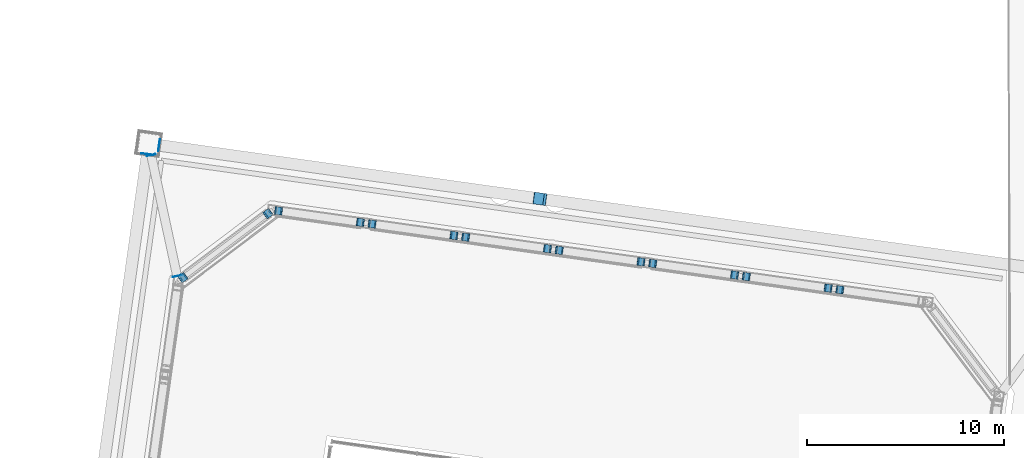
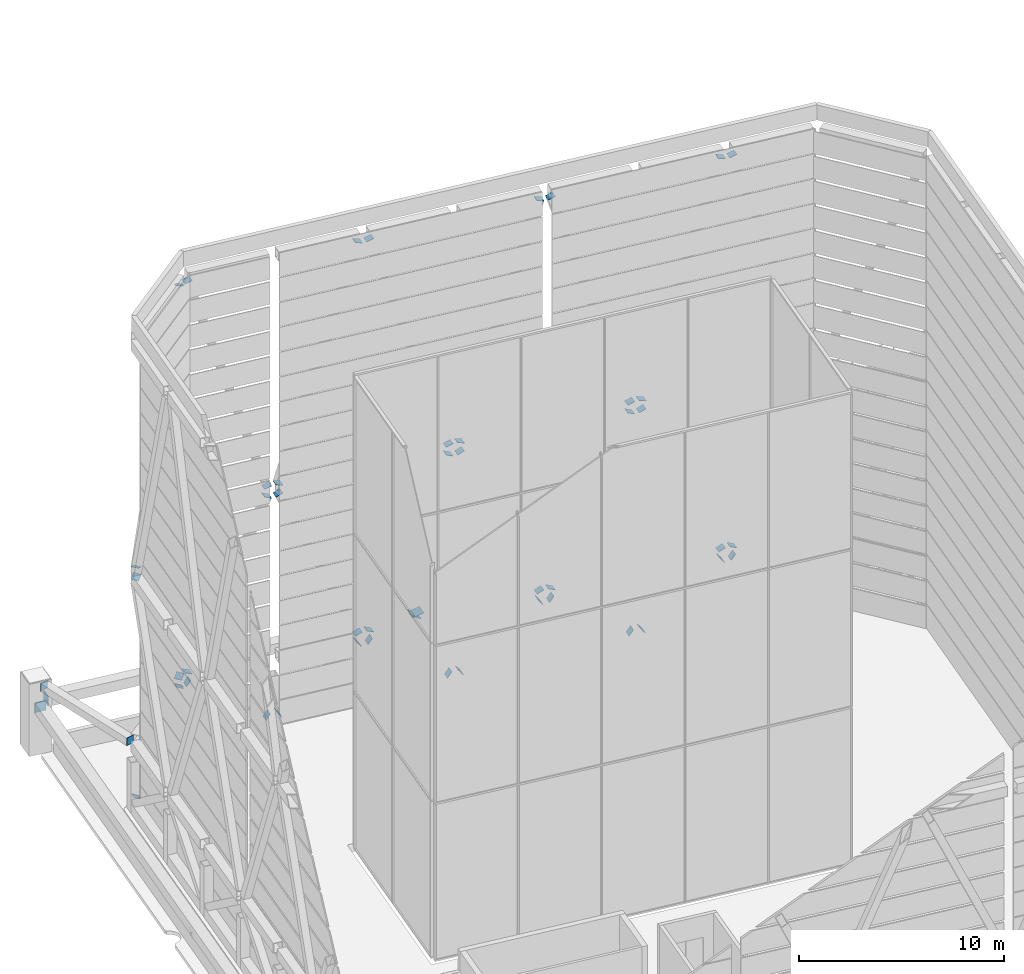
# One storey, part 34 of 45: 51 discrete accessories.
"""IFC4 building model written with IfcOpenShell, lengths in metres."""

from ifc_helpers import new_model, si_unit, direction, frame, origin, origin_2d, place, context, subcontext, project, spatial, rectangle, extrude, material, material_profile, profile_set, type_object, element, save


model = new_model("IFC4")

# Units and contexts
model_context = context("Model", 3, precision=1e-05, world=origin(), true_north=direction((0.0, 1.0)))
body_context = subcontext(model_context, "Body", "Model", "MODEL_VIEW")
ifc_project = project(units=[si_unit("LENGTHUNIT", "METRE"), si_unit("AREAUNIT", "SQUARE_METRE"), si_unit("VOLUMEUNIT", "CUBIC_METRE"), si_unit("PLANEANGLEUNIT", "RADIAN"), si_unit("MASSUNIT", "GRAM", prefix="KILO")], contexts=[model_context])

# Site, building, storey
site_placement = place(None, origin())
site = spatial("IfcSite", under=ifc_project, at=site_placement, CompositionType="ELEMENT")
building_placement = place(site_placement, origin())
building = spatial("IfcBuilding", under=site, at=building_placement, Name="Mirante Cascada Hotel Towers", CompositionType="ELEMENT")
storey_placement = place(building_placement, frame((0.0, 0.0, 269.8)))
storey = spatial("IfcBuildingStorey", under=building, at=storey_placement, Name="Roof garden", CompositionType="ELEMENT", Elevation=269.8)

# Discrete accessories
ifc_material_1 = material(Name="Steel ASTM A572 Gr 50", Category="steel")
ifc_material_profile_1 = material_profile(ifc_material_1, rectangle(XDim=0.4, YDim=0.4, at=origin_2d()), Name="Connection plate 400x400x25 ASTM A572 Gr 50")
ifc_profile_set_1 = profile_set([ifc_material_profile_1], Name="Steel ASTM A572 Gr 50")
discrete_accessory_type_1 = type_object("IfcDiscreteAccessoryType", Name="Connection plate 400x400x25 ASTM A572 Gr 50", PredefinedType="BRACKET", material=ifc_profile_set_1)
for number, where, z_axis, x_axis, name in (
    (1, (-20.7624, 15.434, 3.6926), (-0.7973471, 0.1121895, 0.5930018), (-0.1393311, -0.9902459, 0.0), "Connection plate HT-D"),
    (2, (-25.5232, 16.1031, 0.5926), (0.7973471, -0.1121895, 0.5930018), (0.1393311, 0.9902459, 0.0), "Connection plate HT-D"),
    (3, (-21.3764, 15.5203, 3.6926), (0.7973471, -0.1121895, 0.5930018), (0.1393311, 0.9902459, 0.0), "Connection plate HT-D"),
    (4, (-26.0974, 16.1838, 0.5926), (-0.7973471, 0.1121895, 0.5930018), (-0.1393311, -0.9902459, 0.0), "Connection plate HT-D"),
    (5, (-30.2442, 16.7666, 3.6926), (-0.7973471, 0.1121895, 0.5930018), (-0.1393311, -0.9902459, 0.0), "Connection plate HT-D"),
    (6, (-35.005, 17.4357, 0.5926), (0.7973471, -0.1121895, 0.5930018), (0.1393311, 0.9902459, 0.0), "Connection plate HT-D"),
    (7, (-30.8582, 16.8529, 3.6926), (0.7973471, -0.1121895, 0.5930018), (0.1393311, 0.9902459, 0.0), "Connection plate HT-D"),
    (8, (-35.5792, 17.5164, 0.5926), (-0.7973471, 0.1121895, 0.5930018), (-0.1393311, -0.9902459, 0.0), "Connection plate HT-D"),
    (9, (-39.726, 18.0992, 3.6926), (-0.7973471, 0.1121895, 0.5930018), (-0.1393311, -0.9902459, 0.0), "Connection plate HT-D"),
    (10, (-44.4868, 18.7683, 0.5926), (0.7973471, -0.1121895, 0.5930018), (0.1393311, 0.9902459, 0.0), "Connection plate HT-D"),
    (11, (-40.34, 18.1855, 3.6926), (0.7973471, -0.1121895, 0.5930018), (0.1393311, 0.9902459, 0.0), "Connection plate HT-D"),
    (12, (-45.061, 18.849, 0.5926), (-0.7973471, 0.1121895, 0.5930018), (-0.1393311, -0.9902459, 0.0), "Connection plate HT-D"),
    (13, (-49.2078, 19.4318, 3.6926), (-0.7973471, 0.1121895, 0.5930018), (-0.1393311, -0.9902459, 0.0), "Connection plate HT-D"),
):
    element("IfcDiscreteAccessory", number, at=place(storey_placement, frame(where, z_axis=z_axis, x_axis=x_axis)), inside=storey, type_object=discrete_accessory_type_1, Name=name, PredefinedType="BRACKET", context=body_context, shape_type="SweptSolid", body=[
        extrude(rectangle(XDim=0.4, YDim=0.4, at=origin_2d()), origin(), (0.0, 0.0, 1.0), 0.025),
    ])
for number, where, z_axis, x_axis, name in (
    (14, (-54.0686, 16.0434, 0.5938), (0.6936389, 0.5212316, 0.4971747), (-0.6007391, 0.7994451, 0.0), "Connection plate HT-D"),
    (15, (-49.763, 19.2879, 3.6938), (0.6936389, 0.5212316, 0.4971747), (-0.6007391, 0.7994451, 0.0), "Connection plate HT-D"),
):
    element("IfcDiscreteAccessory", number, at=place(storey_placement, frame(where, z_axis=z_axis, x_axis=x_axis)), inside=storey, type_object=discrete_accessory_type_1, Name=name, PredefinedType="BRACKET", context=body_context, shape_type="SweptSolid", body=[
        extrude(rectangle(XDim=0.4, YDim=0.4, at=origin_2d()), origin(), (0.0, 0.0, 1.0), 0.0249),
    ])
for number, where, z_axis, x_axis, name in (
    (16, (-20.7774, 15.4361, 4.2886), (0.4043852, -0.0560534, 0.9128695), (0.1373011, 0.9905294, 0.0), "Connection plate CF-B"),
    (17, (-21.3614, 15.5182, 4.2886), (-0.4043852, 0.0560534, 0.9128695), (-0.1373011, -0.9905294, 0.0), "Connection plate CF-B"),
    (18, (-25.5082, 16.101, 13.6886), (-0.4043852, 0.0560534, 0.9128695), (-0.1373011, -0.9905294, 0.0), "Connection plate CF-B"),
    (19, (-30.2592, 16.7687, 4.2886), (0.4043852, -0.0560534, 0.9128695), (0.1373011, 0.9905294, 0.0), "Connection plate CF-B"),
    (20, (-26.1124, 16.1859, 13.6886), (0.4043852, -0.0560534, 0.9128695), (0.1373011, 0.9905294, 0.0), "Connection plate CF-B"),
    (21, (-30.8432, 16.8508, 4.2886), (-0.4043852, 0.0560534, 0.9128695), (-0.1373011, -0.9905294, 0.0), "Connection plate CF-B"),
    (22, (-34.99, 17.4336, 13.6886), (-0.4043852, 0.0560534, 0.9128695), (-0.1373011, -0.9905294, 0.0), "Connection plate CF-B"),
    (23, (-39.741, 18.1013, 4.2886), (0.4043852, -0.0560534, 0.9128695), (0.1373011, 0.9905294, 0.0), "Connection plate CF-B"),
    (24, (-35.5942, 17.5185, 13.6886), (0.4043852, -0.0560534, 0.9128695), (0.1373011, 0.9905294, 0.0), "Connection plate CF-B"),
    (25, (-40.325, 18.1834, 4.2886), (-0.4043852, 0.0560534, 0.9128695), (-0.1373011, -0.9905294, 0.0), "Connection plate CF-B"),
):
    element("IfcDiscreteAccessory", number, at=place(storey_placement, frame(where, z_axis=z_axis, x_axis=x_axis)), inside=storey, type_object=discrete_accessory_type_1, Name=name, PredefinedType="BRACKET", context=body_context, shape_type="SweptSolid", body=[
        extrude(rectangle(XDim=0.4, YDim=0.4, at=origin_2d()), origin(), (0.0, 0.0, 1.0), 0.025),
    ])
for number, where, z_axis, x_axis, name in (
    (26, (-44.4718, 18.7662, 13.6886), (-0.4010279, 0.0561439, 0.9143437), (-0.1386478, -0.9903417, 0.0), "Connection plate CF-B"),
    (27, (-49.2227, 19.4339, 4.2886), (0.4010279, -0.0561439, 0.9143437), (0.1386478, 0.9903417, 0.0), "Connection plate CF-B"),
):
    element("IfcDiscreteAccessory", number, at=place(storey_placement, frame(where, z_axis=z_axis, x_axis=x_axis)), inside=storey, type_object=discrete_accessory_type_1, Name=name, PredefinedType="BRACKET", context=body_context, shape_type="SweptSolid", body=[
        extrude(rectangle(XDim=0.4, YDim=0.4, at=origin_2d()), origin(), (0.0, 0.0, 1.0), 0.0249),
    ])
discrete_accessory_1_placement = place(storey_placement, frame((-45.076, 18.8511, 13.6886), z_axis=(0.4043852, -0.0560534, 0.9128695), x_axis=(0.1373011, 0.9905294, 0.0)))
element("IfcDiscreteAccessory", 28, at=discrete_accessory_1_placement, inside=storey, type_object=discrete_accessory_type_1, Name="Connection plate CF-B", PredefinedType="BRACKET", context=body_context, shape_type="SweptSolid", body=[
    extrude(rectangle(XDim=0.4, YDim=0.4, at=origin_2d()), origin(), (0.0, 0.0, 1.0), 0.025),
])
for number, where, z_axis, x_axis, name in (
    (29, (-49.7494, 19.2981, 4.2892), (-0.3973309, -0.3010083, 0.8669038), (0.6038577, -0.7970921, 0.0), "Connection plate CF-B"),
    (30, (-54.055, 16.0536, 13.6892), (-0.3978086, -0.2973519, 0.867946), (0.5987047, -0.8009698, 0.0), "Connection plate CF-B"),
    (31, (-20.7686, 15.4349, 27.6381), (-0.2966152, 0.0440915, 0.9539787), (-0.1470331, -0.9891316, 0.0), "Connection plate CF-B"),
    (32, (-25.5169, 16.1022, 14.2881), (0.2966653, -0.0400899, 0.9541397), (0.1339179, 0.9909924, 0.0), "Connection plate CF-B"),
    (33, (-21.3702, 15.5195, 27.6381), (0.2966152, -0.0440915, 0.9539787), (0.1470331, 0.9891316, 0.0), "Connection plate CF-B"),
    (34, (-26.1037, 16.1847, 14.2881), (-0.2966152, 0.0440915, 0.9539787), (-0.1470331, -0.9891316, 0.0), "Connection plate CF-B"),
    (35, (-30.2504, 16.7675, 27.6381), (-0.2966653, 0.0400899, 0.9541397), (-0.1339179, -0.9909924, 0.0), "Connection plate CF-B"),
    (36, (-34.9987, 17.4348, 14.2881), (0.2966653, -0.0400899, 0.9541397), (0.1339179, 0.9909924, 0.0), "Connection plate CF-B"),
    (37, (-30.852, 16.852, 27.6381), (0.2966653, -0.0400899, 0.9541397), (0.1339179, 0.9909924, 0.0), "Connection plate CF-B"),
    (38, (-35.5855, 17.5173, 14.2881), (-0.2966653, 0.0400899, 0.9541397), (-0.1339179, -0.9909924, 0.0), "Connection plate CF-B"),
    (39, (-39.7322, 18.1001, 27.6381), (-0.2966653, 0.0400899, 0.9541397), (-0.1339179, -0.9909924, 0.0), "Connection plate CF-B"),
    (40, (-44.4805, 18.7674, 14.2881), (0.2966653, -0.0400899, 0.9541397), (0.1339179, 0.9909924, 0.0), "Connection plate CF-B"),
    (41, (-40.3338, 18.1846, 27.6381), (0.2966653, -0.0400899, 0.9541397), (0.1339179, 0.9909924, 0.0), "Connection plate CF-B"),
    (42, (-45.0673, 18.8499, 14.2881), (-0.2966653, 0.0400899, 0.9541397), (-0.1339179, -0.9909924, 0.0), "Connection plate CF-B"),
    (43, (-49.214, 19.4327, 27.6381), (-0.2966653, 0.0400899, 0.9541397), (-0.1339179, -0.9909924, 0.0), "Connection plate CF-B"),
):
    element("IfcDiscreteAccessory", number, at=place(storey_placement, frame(where, z_axis=z_axis, x_axis=x_axis)), inside=storey, type_object=discrete_accessory_type_1, Name=name, PredefinedType="BRACKET", context=body_context, shape_type="SweptSolid", body=[
        extrude(rectangle(XDim=0.4, YDim=0.4, at=origin_2d()), origin(), (0.0, 0.0, 1.0), 0.0249),
    ])
for number, where, z_axis, x_axis, name in (
    (44, (-54.0637, 16.0471, 14.2884), (0.2997962, 0.2238478, 0.9273696), (-0.5982892, 0.8012802, 0.0), "Connection plate CF-B"),
    (45, (-49.7581, 19.2916, 27.6384), (0.2997962, 0.2238478, 0.9273696), (-0.5982892, 0.8012802, 0.0), "Connection plate CF-B"),
):
    element("IfcDiscreteAccessory", number, at=place(storey_placement, frame(where, z_axis=z_axis, x_axis=x_axis)), inside=storey, type_object=discrete_accessory_type_1, Name=name, PredefinedType="BRACKET", context=body_context, shape_type="SweptSolid", body=[
        extrude(rectangle(XDim=0.4, YDim=0.4, at=origin_2d()), origin(), (0.0, 0.0, 1.0), 0.025),
    ])
ifc_material_2 = material(Name="Steel ASTM A572 Gr 50", Category="steel")
ifc_material_profile_2 = material_profile(ifc_material_2, rectangle(XDim=0.45, YDim=0.45, at=origin_2d()), Name="Connection plate 450x450x25 ASTM A572 Gr 50")
ifc_profile_set_2 = profile_set([ifc_material_profile_2], Name="Steel ASTM A572 Gr 50")
discrete_accessory_type_2 = type_object("IfcDiscreteAccessoryType", Name="Connection plate 450x450x25 ASTM A572 Gr 50", PredefinedType="BRACKET", material=ifc_profile_set_2)
discrete_accessory_2_placement = place(storey_placement, frame((-55.6747, 22.2712, 4.0), z_axis=(0.20762, -0.9782096, 0.0), x_axis=(0.9782096, 0.20762, 0.0)))
element("IfcDiscreteAccessory", 46, at=discrete_accessory_2_placement, inside=storey, type_object=discrete_accessory_type_2, Name="Connection plate CF-T", PredefinedType="BRACKET", context=body_context, shape_type="SweptSolid", body=[
    extrude(rectangle(XDim=0.45, YDim=0.45, at=origin_2d()), origin(), (0.0, 0.0, 1.0), 0.025),
])
discrete_accessory_3_placement = place(storey_placement, frame((-54.3581, 16.1419, 4.0), z_axis=(0.2114358, -0.9773919, 0.0), x_axis=(0.9773919, 0.2114358, 0.0)))
element("IfcDiscreteAccessory", 47, at=discrete_accessory_3_placement, inside=storey, type_object=discrete_accessory_type_2, Name="Connection plate CF-T", PredefinedType="BRACKET", context=body_context, shape_type="SweptSolid", body=[
    extrude(rectangle(XDim=0.45, YDim=0.45, at=origin_2d()), origin(), (0.0, 0.0, 1.0), 0.0251),
])
ifc_material_3 = material(Name="Steel ASTM A572 Gr 50", Category="steel")
ifc_material_profile_3 = material_profile(ifc_material_3, rectangle(XDim=0.6, YDim=0.6, at=origin_2d()), Name="Connection plate 600x600x25 ASTM A572 Gr 50")
ifc_profile_set_3 = profile_set([ifc_material_profile_3], Name="Steel ASTM A572 Gr 50")
discrete_accessory_type_3 = type_object("IfcDiscreteAccessoryType", Name="Connection plate 600x600x25 ASTM A572 Gr 50", PredefinedType="BRACKET", material=ifc_profile_set_3)
for number, where, z_axis, x_axis, name in (
    (48, (-35.937, 20.0408, 2.8098), (-0.2602354, 0.0360326, 0.9648726), (-0.1371531, -0.9905499, 0.0), "Connection plate MB-FL50L"),
    (49, (-36.0462, 20.0561, 2.7211), (0.5558622, -0.0759812, 0.8277947), (0.1354313, 0.9907867, 0.0), "Connection plate MB-FL50R"),
    (50, (-55.2579, 22.7561, 2.8), (-0.9901876, 0.1397442, 0.0), (-0.1397442, -0.9901876, 0.0), "Connection plate NCH"),
    (51, (-55.8706, 22.2944, 2.8), (0.1358263, 0.9907327, 0.0), (-0.9907327, 0.1358263, 0.0), "Connection plate NCH"),
):
    element("IfcDiscreteAccessory", number, at=place(storey_placement, frame(where, z_axis=z_axis, x_axis=x_axis)), inside=storey, type_object=discrete_accessory_type_3, Name=name, PredefinedType="BRACKET", context=body_context, shape_type="SweptSolid", body=[
        extrude(rectangle(XDim=0.6, YDim=0.6, at=origin_2d()), origin(), (0.0, 0.0, 1.0), 0.025),
    ])

save(model, "model.ifc")
